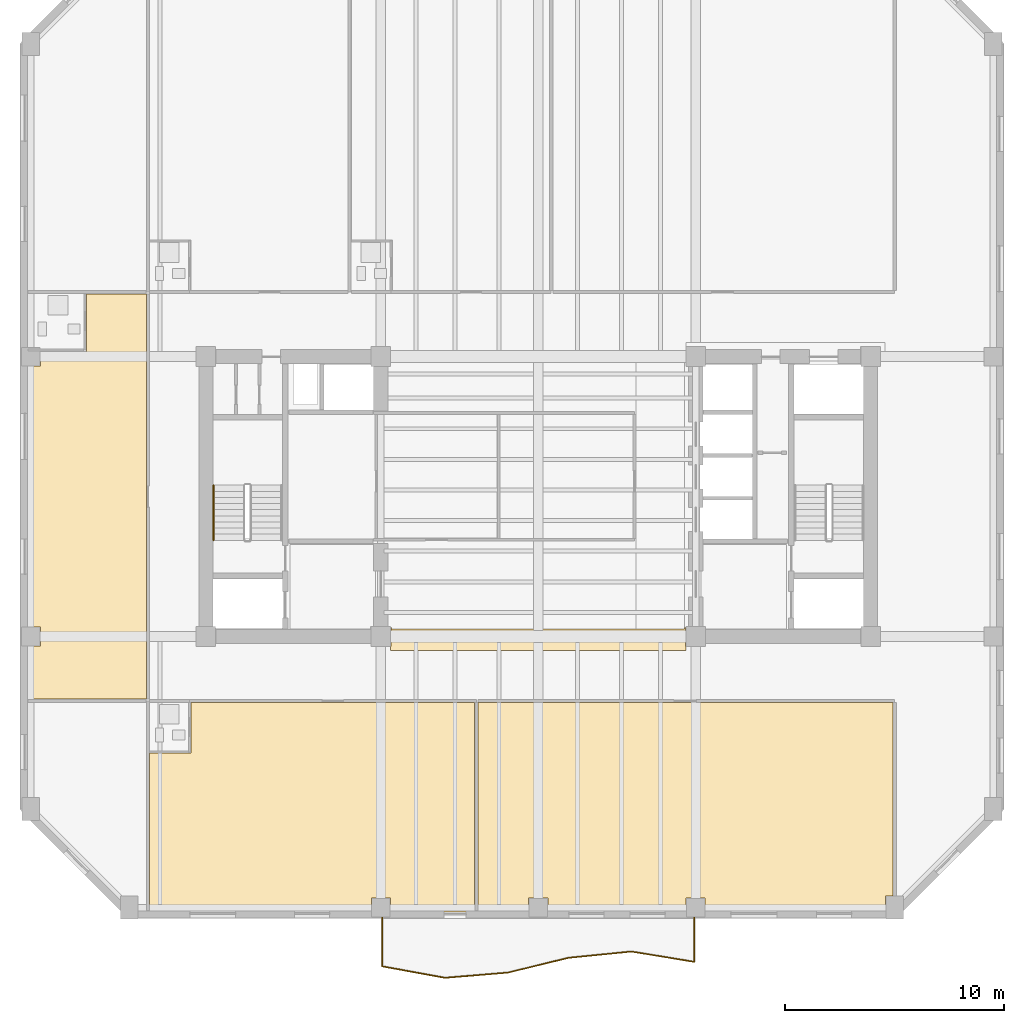
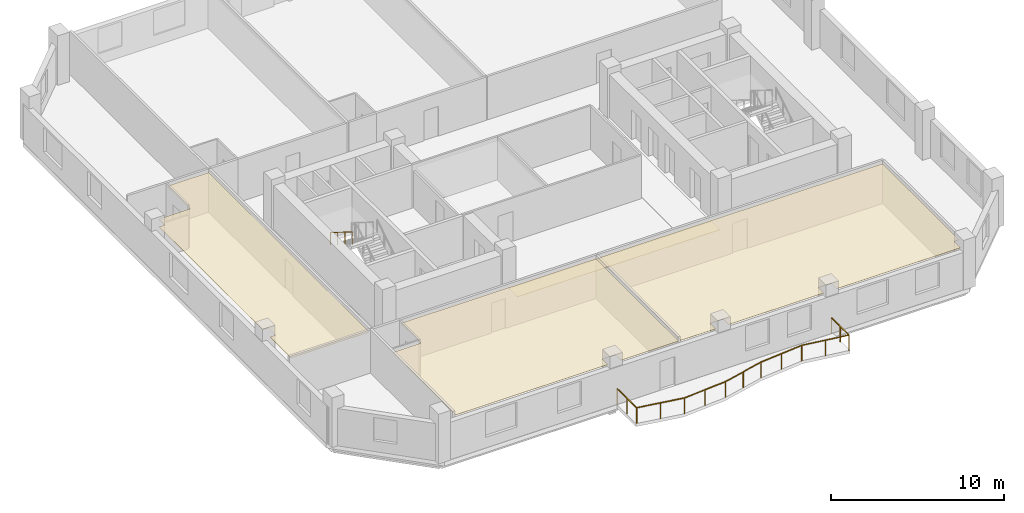
# One storey, part 6 of 9: 4 coverings, 2 railings.
"""IFC4 building model written with IfcOpenShell, lengths in metres."""

import ifcopenshell
import ifcopenshell.guid

model = None  # the IFC model being written
_history = None  # IfcOwnerHistory: only IFC2X3 demands one
_inside = {}  # id of a spatial element -> (the spatial element, [elements in it])
_under = {}  # id of a project, library or spatial element -> (it, [spatial elements below it])
_declared = {}  # id of a project -> (the project, [libraries it declares])
_typed = {}  # id of a type object -> (the type object, [elements of that type])
_made_of = {}  # id of a material, layer set ... -> (it, [elements and type objects made of it])


def new_model(schema):
    """Start an empty IFC model of exactly this schema.

    Asked for "IFC4X3", IfcOpenShell would pick the latest addendum, in which some entities
    have other attributes; the version numbers below select the first issue.
    IFC2X3 requires an IfcOwnerHistory on every rooted entity: one is made here for all.
    """
    global model, _history
    if schema == "IFC4X3":
        model = ifcopenshell.file(schema_version=(4, 3, 0, 0))
    else:
        model = ifcopenshell.file(schema=schema)
    _inside.clear()
    _under.clear()
    _declared.clear()
    _typed.clear()
    _made_of.clear()
    _history = None
    if model.schema == "IFC2X3":
        org = make("IfcOrganization", Name="unknown")
        user = make(
            "IfcPersonAndOrganization",
            ThePerson=make("IfcPerson", FamilyName="unknown"),
            TheOrganization=org,
        )
        app = make(
            "IfcApplication",
            ApplicationDeveloper=org,
            Version="unknown",
            ApplicationFullName="unknown",
            ApplicationIdentifier="unknown",
        )
        _history = make(
            "IfcOwnerHistory",
            OwningUser=user,
            OwningApplication=app,
            ChangeAction="ADDED",
            CreationDate=0,
        )
    return model


def make(cls, **values):
    """One entity of the class cls with the attributes given. An attribute that is None is left unset."""
    return model.create_entity(
        cls, **{name: value for name, value in values.items() if value is not None}
    )


def rooted(cls, **values):
    """An entity with a GlobalId (a new one), such as an element, a storey or a relation."""
    return make(cls, GlobalId=ifcopenshell.guid.new(), OwnerHistory=_history, **values)


def si_unit(unit_type, name, prefix=None):
    """IfcSIUnit, for example si_unit("LENGTHUNIT", "METRE", prefix="MILLI")."""
    return make("IfcSIUnit", UnitType=unit_type, Prefix=prefix, Name=name)


def assignment(units):
    """IfcUnitAssignment: the units of a project."""
    return None if units is None else make("IfcUnitAssignment", Units=units)


def point(xyz):
    """IfcCartesianPoint."""
    return None if xyz is None else make("IfcCartesianPoint", Coordinates=xyz)


def direction(xyz):
    """IfcDirection."""
    return None if xyz is None else make("IfcDirection", DirectionRatios=xyz)


def frame(location, z_axis=None, x_axis=None):
    """IfcAxis2Placement3D, a coordinate frame: its origin and axes. An axis left out is left unset."""
    return make(
        "IfcAxis2Placement3D",
        Location=point(location),
        Axis=direction(z_axis),
        RefDirection=direction(x_axis),
    )


def frame_2d(location, x_axis=None):
    """IfcAxis2Placement2D, a coordinate frame in the plane: its origin and x axis."""
    return make(
        "IfcAxis2Placement2D", Location=point(location), RefDirection=direction(x_axis)
    )


def origin():
    """The frame at (0, 0, 0) with its axes left unset."""
    return frame((0.0, 0.0, 0.0))


def origin_2d():
    """The frame at (0, 0) in the plane with its x axis left unset."""
    return frame_2d((0.0, 0.0))


def place(relative_to, where):
    """IfcLocalPlacement: puts the frame where relative to a parent placement (None: the world)."""
    return make(
        "IfcLocalPlacement", PlacementRelTo=relative_to, RelativePlacement=where
    )


def context(
    kind, dimensions, precision=None, world=None, true_north=None, identifier=None
):
    """IfcGeometricRepresentationContext, for example the 3D "Model" context."""
    return make(
        "IfcGeometricRepresentationContext",
        ContextIdentifier=identifier,
        ContextType=kind,
        CoordinateSpaceDimension=dimensions,
        Precision=precision,
        WorldCoordinateSystem=world,
        TrueNorth=true_north,
    )


def subcontext(parent, identifier, kind, view, scale=None):
    """IfcGeometricRepresentationSubContext, for example "Body" below "Model"."""
    return make(
        "IfcGeometricRepresentationSubContext",
        ContextIdentifier=identifier,
        ContextType=kind,
        ParentContext=parent,
        TargetScale=scale,
        TargetView=view,
    )


def project(units=None, contexts=None):
    """IfcProject with its units and contexts."""
    return rooted(
        "IfcProject",
        Name="project",
        RepresentationContexts=contexts,
        UnitsInContext=assignment(units),
    )


def spatial(cls, under=None, at=None, **own):
    """A site, building, storey or space (cls), placed at a placement, below another one or the project."""
    s = rooted(cls, ObjectPlacement=at, **own)
    if under is not None:
        _under.setdefault(under.id(), (under, []))[1].append(s)
    return s


def polyline(points):
    """IfcPolyline through the points."""
    return make("IfcPolyline", Points=[point(p) for p in points])


def profile(cls, at=None, kind="AREA", **sizes):
    """A parametric profile (cls). Its sizes go by their IFC names, for example OverallWidth=200.0."""
    return make(cls, ProfileType=kind, Position=at, **sizes)


def circle(**sizes):
    """IfcCircleProfileDef."""
    return profile("IfcCircleProfileDef", **sizes)


def outline(outer, holes=None, kind="AREA"):
    """IfcArbitraryClosedProfileDef: a profile drawn as a closed curve; with holes, ...WithVoids."""
    if holes is None:
        return make("IfcArbitraryClosedProfileDef", ProfileType=kind, OuterCurve=outer)
    return make(
        "IfcArbitraryProfileDefWithVoids",
        ProfileType=kind,
        OuterCurve=outer,
        InnerCurves=holes,
    )


def extrude(swept, where, along, depth):
    """IfcExtrudedAreaSolid: the profile swept, set in the frame where, extruded along a direction by depth."""
    return make(
        "IfcExtrudedAreaSolid",
        SweptArea=swept,
        Position=where,
        ExtrudedDirection=direction(along),
        Depth=depth,
    )


def shape(context_of_items, identifier, shape_type, items):
    """IfcShapeRepresentation: the items that make up one representation, for example the "Body"."""
    return make(
        "IfcShapeRepresentation",
        ContextOfItems=context_of_items,
        RepresentationIdentifier=identifier,
        RepresentationType=shape_type,
        Items=items,
    )


def material(Name=None, Category=None):
    """IfcMaterial."""
    return make("IfcMaterial", Name=Name, Category=Category)


def layer(
    of_material, thickness, ventilated=None, Name=None, Category=None, Priority=None
):
    """IfcMaterialLayer: one layer of a wall or slab, of a material (None: an air gap)."""
    return make(
        "IfcMaterialLayer",
        Material=of_material,
        LayerThickness=thickness,
        IsVentilated=ventilated,
        Name=Name,
        Category=Category,
        Priority=Priority,
    )


def layer_set(layers, Name=None):
    """IfcMaterialLayerSet."""
    return make("IfcMaterialLayerSet", MaterialLayers=layers, LayerSetName=Name)


def made_of(thing, what):
    """Note that an element or type object is made of a material, layer set ...; save() writes the relation."""
    if what is not None:
        _made_of.setdefault(what.id(), (what, []))[1].append(thing)
    return thing


def type_object(cls, material=None, **own):
    """A type object (cls), such as IfcWallType, which elements share."""
    return made_of(rooted(cls, **own), material)


def element(
    cls,
    number,
    at=None,
    inside=None,
    cuts=None,
    type_object=None,
    material=None,
    context=None,
    identifier="Body",
    shape_type=None,
    held_by="IfcProductDefinitionShape",
    body=None,
    shapes=None,
    **own,
):
    """One element of the class cls, such as IfcWall. Its Tag is "e" and its number.

    at: its placement. inside: the storey or other place that contains it. cuts: it is an
    opening in that element (IfcRelVoidsElement). A single representation is given by context,
    identifier, shape_type and body (its items); several are given by shapes. held_by: the class
    of the entity that holds the representations. save() writes the other relations.
    """
    e = rooted(cls, Tag="e%d" % number, ObjectPlacement=at, **own)
    if body is not None:
        shapes = [shape(context, identifier, shape_type, body)]
    if shapes is not None:
        e.Representation = make(held_by, Representations=shapes)
    if inside is not None:
        _inside.setdefault(inside.id(), (inside, []))[1].append(e)
    if cuts is not None:
        rooted(
            "IfcRelVoidsElement", RelatingBuildingElement=cuts, RelatedOpeningElement=e
        )
    if type_object is not None:
        _typed.setdefault(type_object.id(), (type_object, []))[1].append(e)
    return made_of(e, material)


def aggregate(whole, parts):
    """IfcRelAggregates: a whole, such as a stair, and the parts it consists of."""
    return rooted("IfcRelAggregates", RelatingObject=whole, RelatedObjects=parts)


def save(model, path):
    """Write the relations noted so far, then the file.

    IfcRelAggregates (storeys below a building ...), IfcRelContainedInSpatialStructure (elements
    in a storey), IfcRelDefinesByType, IfcRelAssociatesMaterial and IfcRelDeclares: one each for
    every whole, place, type object, material and project.
    """
    for whole, parts in _under.values():
        aggregate(whole, parts)
    for where, things in _inside.values():
        rooted(
            "IfcRelContainedInSpatialStructure",
            RelatedElements=things,
            RelatingStructure=where,
        )
    for kind, things in _typed.values():
        rooted("IfcRelDefinesByType", RelatedObjects=things, RelatingType=kind)
    for what, things in _made_of.values():
        rooted("IfcRelAssociatesMaterial", RelatedObjects=things, RelatingMaterial=what)
    for by, libraries in _declared.values():
        rooted("IfcRelDeclares", RelatingContext=by, RelatedDefinitions=libraries)
    model.write(path)


model = new_model("IFC4")

# Units and contexts
model_context = context("Model", 3, precision=1e-05, world=origin(), true_north=direction((0.0, 1.0)))
body_context = subcontext(model_context, "Body", "Model", "MODEL_VIEW")
ifc_project = project(units=[si_unit("LENGTHUNIT", "METRE"), si_unit("AREAUNIT", "SQUARE_METRE"), si_unit("VOLUMEUNIT", "CUBIC_METRE"), si_unit("PLANEANGLEUNIT", "RADIAN"), si_unit("MASSUNIT", "GRAM", prefix="KILO")], contexts=[model_context])

# Site, building, storey
site_placement = place(None, origin())
site = spatial("IfcSite", under=ifc_project, at=site_placement, CompositionType="ELEMENT")
building_placement = place(site_placement, origin())
building = spatial("IfcBuilding", under=site, at=building_placement, Name="Kranthara Brick Stack", CompositionType="ELEMENT")
storey_placement = place(building_placement, frame((0.0, 0.0, 193.800048828125)))
storey = spatial("IfcBuildingStorey", under=building, at=storey_placement, Name="L50", CompositionType="ELEMENT", Elevation=193.800048828125)

# Coverings
ifc_material_1 = material(Name="Perforated mineral-fibre acoustic ceiling tile", Category="other")
ifc_layer_1 = layer(ifc_material_1, 0.02490234375)
ifc_layer_set_1 = layer_set([ifc_layer_1], Name="Perforated mineral-fibre acoustic ceiling tile")
covering_type_1 = type_object("IfcCoveringType", Name="COV-CEIL-ACOUSTIC", PredefinedType="CEILING", material=ifc_layer_set_1)
covering_1_placement = place(storey_placement, frame((0.0, 0.0, 2.780029296875)))
element("IfcCovering", 1, at=covering_1_placement, inside=storey, type_object=covering_type_1, Name="L50 Room L50-01 Corner Junior Suite Acoustic Ceiling", PredefinedType="CEILING", context=body_context, shape_type="SweptSolid", body=[
    extrude(outline(polyline([(10.22998046875, 8.199951171875), (10.22998046875, 15.4599609375), (12.110107421875, 15.4599609375), (12.110107421875, 17.77001953125), (25.095947265625, 17.77001953125), (25.095947265625, 8.199951171875), (21.235107421875, 8.199951171875), (21.235107421875, 8.8349609375), (20.364990234375, 8.8349609375), (20.364990234375, 8.199951171875), (10.22998046875, 8.199951171875)])), origin(), (0.0, 0.0, 1.0), 0.02490234375),
])
covering_2_placement = place(storey_placement, frame((0.0, 0.0, 2.780029296875)))
element("IfcCovering", 2, at=covering_2_placement, inside=storey, type_object=covering_type_1, Name="L50 L50 Guest Sky Lounge 2 Acoustic Ceiling", PredefinedType="CEILING", context=body_context, shape_type="SweptSolid", body=[
    extrude(outline(polyline([(44.219970703125, 17.77001953125), (44.219970703125, 8.93505859375), (43.889892578125, 8.93505859375), (43.889892578125, 8.199951171875), (35.635009765625, 8.199951171875), (35.635009765625, 8.8349609375), (34.764892578125, 8.8349609375), (34.764892578125, 8.199951171875), (28.43505859375, 8.199951171875), (28.43505859375, 8.8349609375), (27.56494140625, 8.8349609375), (27.56494140625, 8.199951171875), (25.256103515625, 8.199951171875), (25.256103515625, 17.77001953125), (44.219970703125, 17.77001953125)])), origin(), (0.0, 0.0, 1.0), 0.02490234375),
])
covering_3_placement = place(storey_placement, frame((0.0, 0.0, 2.780029296875)))
element("IfcCovering", 3, at=covering_3_placement, inside=storey, type_object=covering_type_1, Name="L50 Room L50-06 Corner Junior Suite Acoustic Ceiling", PredefinedType="CEILING", context=body_context, shape_type="SweptSolid", body=[
    extrude(outline(polyline([(7.330078125, 33.840087890625), (7.330078125, 36.469970703125), (10.080078125, 36.469970703125), (10.080078125, 17.929931640625), (4.8701171875, 17.929931640625), (4.8701171875, 20.364990234375), (5.235107421875, 20.364990234375), (5.235107421875, 21.235107421875), (4.8701171875, 21.235107421875), (4.8701171875, 33.1650390625), (5.235107421875, 33.1650390625), (5.235107421875, 33.840087890625), (7.330078125, 33.840087890625)])), origin(), (0.0, 0.0, 1.0), 0.02490234375),
])
ifc_material_2 = material(Name="Honed terrazzo and porcelain floor finish", Category="stone")
ifc_layer_2 = layer(ifc_material_2, 0.030029296875)
ifc_layer_set_2 = layer_set([ifc_layer_2], Name="Honed terrazzo and porcelain floor finish")
covering_type_2 = type_object("IfcCoveringType", Name="COV-FLOR-STONE", PredefinedType="FLOORING", material=ifc_layer_set_2)
covering_4_placement = place(storey_placement, origin())
element("IfcCovering", 4, at=covering_4_placement, inside=storey, type_object=covering_type_2, Name="L50 Lift Lobby Stone Flooring", PredefinedType="FLOORING", context=body_context, shape_type="SweptSolid", body=[
    extrude(outline(polyline([(21.25, 20.340087890625), (21.260009765625, 20.340087890625), (21.260009765625, 21.199951171875), (21.300048828125, 21.199951171875), (21.300048828125, 21.14990234375), (32.47998046875, 21.14990234375), (34.699951171875, 21.14990234375), (34.699951171875, 21.199951171875), (34.739990234375, 21.199951171875), (34.739990234375, 20.340087890625), (34.75, 20.340087890625), (34.75, 20.14990234375), (21.25, 20.14990234375), (21.25, 20.340087890625)])), origin(), (0.0, 0.0, 1.0), 0.030029296875),
])

# Railings
ifc_material_3 = material(Name="Bronze anodised aluminium and laminated glass balustrade", Category="aluminium")
railing_type_1 = type_object("IfcRailingType", Name="RL-BALC-1120", PredefinedType="BALUSTRADE", material=ifc_material_3)
railing_1_placement = place(storey_placement, frame((35.139892578125, 7.9599609375, 0.0)))
element("IfcRailing", 5, at=railing_1_placement, inside=storey, type_object=railing_type_1, Name="L50 South Rippling Balcony Balustrade", PredefinedType="BALUSTRADE", context=body_context, shape_type="SweptSolid", body=[
    extrude(circle(Radius=0.02392578125, at=origin_2d()), frame((0.0, 0.0, 1.09619140625), z_axis=(0.000119574315, -0.999999992851, 0.0), x_axis=(0.999999992851, 0.000119574315, 0.0)), (0.0, 0.0, 1.0), 2.041748046875),
    extrude(circle(Radius=0.02392578125, at=origin_2d()), frame((0.000244140625, -2.041748046875, 1.09619140625), z_axis=(-0.986773319459, 0.16210618743, 0.0), x_axis=(-0.16210618743, -0.986773319459, 0.0)), (0.0, 0.0, 1.0), 2.918701171875),
    extrude(circle(Radius=0.02392578125, at=origin_2d()), frame((-2.8798828125, -1.568603515625, 1.09619140625), z_axis=(-0.994998692442, -0.099887947418, 0.0), x_axis=(0.099887947418, -0.994998692442, 0.0)), (0.0, 0.0, 1.0), 2.893798828125),
    extrude(circle(Radius=0.02392578125, at=origin_2d()), frame((-5.75927734375, -1.857666015625, 1.09619140625), z_axis=(-0.971467431814, -0.237172993665, 0.0), x_axis=(0.237172993665, -0.971467431814, 0.0)), (0.0, 0.0, 1.0), 2.851318359375),
    extrude(circle(Radius=0.02392578125, at=origin_2d()), frame((-8.529296875, -2.533935546875, 1.09619140625), z_axis=(-0.996605085301, -0.082330455797, 0.0), x_axis=(0.082330455797, -0.996605085301, 0.0)), (0.0, 0.0, 1.0), 2.88232421875),
    extrude(circle(Radius=0.02392578125, at=origin_2d()), frame((-11.40185546875, -2.771240234375, 1.09619140625), z_axis=(-0.983714670361, 0.179737161757, 0.0), x_axis=(-0.179737161757, -0.983714670361, 0.0)), (0.0, 0.0, 1.0), 2.92578125),
    extrude(circle(Radius=0.02392578125, at=origin_2d()), frame((-14.280029296875, -2.245361328125, 1.09619140625), z_axis=(0.000108731107, 0.999999994089, 0.0), x_axis=(-0.999999994089, 0.000108731107, 0.0)), (0.0, 0.0, 1.0), 2.245361328125),
    extrude(circle(Radius=0.02099609375, at=origin_2d()), origin(), (0.0, 0.0, 1.0), 1.072021484375),
    extrude(circle(Radius=0.02099609375, at=origin_2d()), frame((0.0, -1.02099609375, 0.0)), (0.0, 0.0, 1.0), 1.072021484375),
    extrude(circle(Radius=0.02099609375, at=origin_2d()), frame((0.000244140625, -2.041748046875, 0.0)), (0.0, 0.0, 1.0), 1.072021484375),
    extrude(circle(Radius=0.02099609375, at=origin_2d()), frame((-1.43994140625, -1.80517578125, 0.0)), (0.0, 0.0, 1.0), 1.072021484375),
    extrude(circle(Radius=0.02099609375, at=origin_2d()), frame((-2.8798828125, -1.568603515625, 0.0)), (0.0, 0.0, 1.0), 1.072021484375),
    extrude(circle(Radius=0.02099609375, at=origin_2d()), frame((-4.319580078125, -1.713134765625, 0.0)), (0.0, 0.0, 1.0), 1.072021484375),
    extrude(circle(Radius=0.02099609375, at=origin_2d()), frame((-5.75927734375, -1.857666015625, 0.0)), (0.0, 0.0, 1.0), 1.072021484375),
    extrude(circle(Radius=0.02099609375, at=origin_2d()), frame((-7.144287109375, -2.19580078125, 0.0)), (0.0, 0.0, 1.0), 1.072021484375),
    extrude(circle(Radius=0.02099609375, at=origin_2d()), frame((-8.529296875, -2.533935546875, 0.0)), (0.0, 0.0, 1.0), 1.072021484375),
    extrude(circle(Radius=0.02099609375, at=origin_2d()), frame((-9.965576171875, -2.652587890625, 0.0)), (0.0, 0.0, 1.0), 1.072021484375),
    extrude(circle(Radius=0.02099609375, at=origin_2d()), frame((-11.40185546875, -2.771240234375, 0.0)), (0.0, 0.0, 1.0), 1.072021484375),
    extrude(circle(Radius=0.02099609375, at=origin_2d()), frame((-12.8408203125, -2.50830078125, 0.0)), (0.0, 0.0, 1.0), 1.072021484375),
    extrude(circle(Radius=0.02099609375, at=origin_2d()), frame((-14.280029296875, -2.245361328125, 0.0)), (0.0, 0.0, 1.0), 1.072021484375),
    extrude(circle(Radius=0.02099609375, at=origin_2d()), frame((-14.27978515625, -1.12255859375, 0.0)), (0.0, 0.0, 1.0), 1.072021484375),
    extrude(circle(Radius=0.02099609375, at=origin_2d()), frame((-14.27978515625, 0.0, 0.0)), (0.0, 0.0, 1.0), 1.072021484375),
])
ifc_material_4 = material(Name="Brushed stainless steel tubular handrail", Category="steel")
railing_type_2 = type_object("IfcRailingType", Name="RL-STAIR-HAND-900", PredefinedType="HANDRAIL", material=ifc_material_4)
railing_2_placement = place(storey_placement, frame((13.14990234375, 27.719970703125, 1.925048828125)))
element("IfcRailing", 6, at=railing_2_placement, inside=storey, type_object=railing_type_2, Name="L50 ST01 stair handrail 2", PredefinedType="HANDRAIL", context=body_context, shape_type="SweptSolid", body=[
    extrude(circle(Radius=0.02392578125, at=origin_2d()), frame((0.0, 0.0, 0.8759765625), z_axis=(0.0, -0.848007534815, 0.529984170421), x_axis=(1.0, 0.0, 0.0)), (0.0, 0.0, 1.0), 2.9716796875),
    extrude(circle(Radius=0.02099609375, at=origin_2d()), origin(), (0.0, 0.0, 1.0), 0.851806640625),
    extrude(circle(Radius=0.02099609375, at=origin_2d()), frame((0.0, -0.840087890625, 0.52490234375)), (0.0, 0.0, 1.0), 0.851806640625),
    extrude(circle(Radius=0.02099609375, at=origin_2d()), frame((0.0, -1.679931640625, 1.050048828125)), (0.0, 0.0, 1.0), 0.851806640625),
    extrude(circle(Radius=0.02099609375, at=origin_2d()), frame((0.0, -2.52001953125, 1.574951171875)), (0.0, 0.0, 1.0), 0.851806640625),
])

save(model, "model.ifc")
